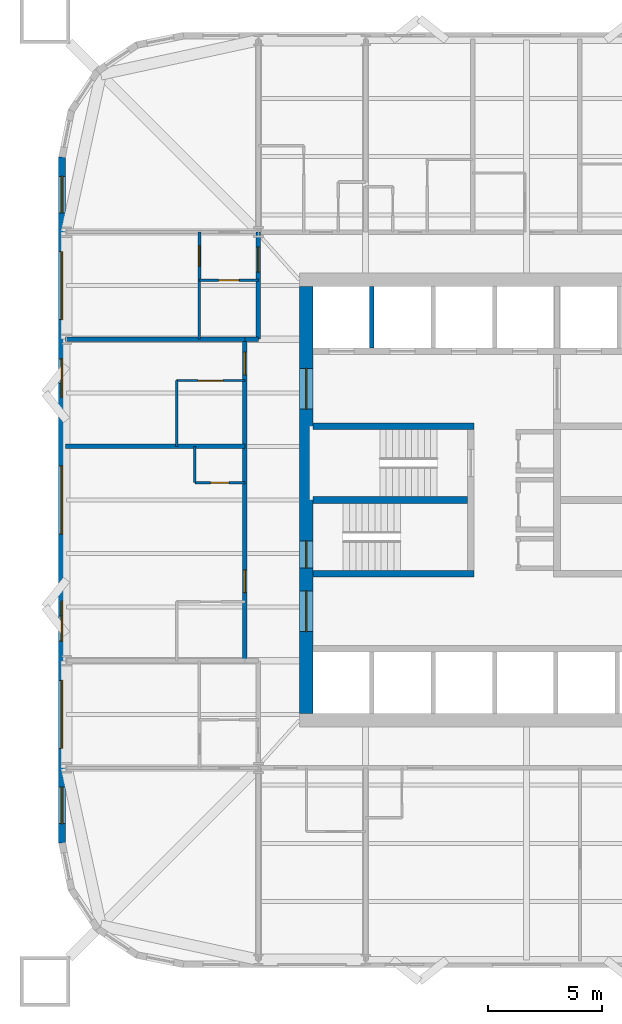
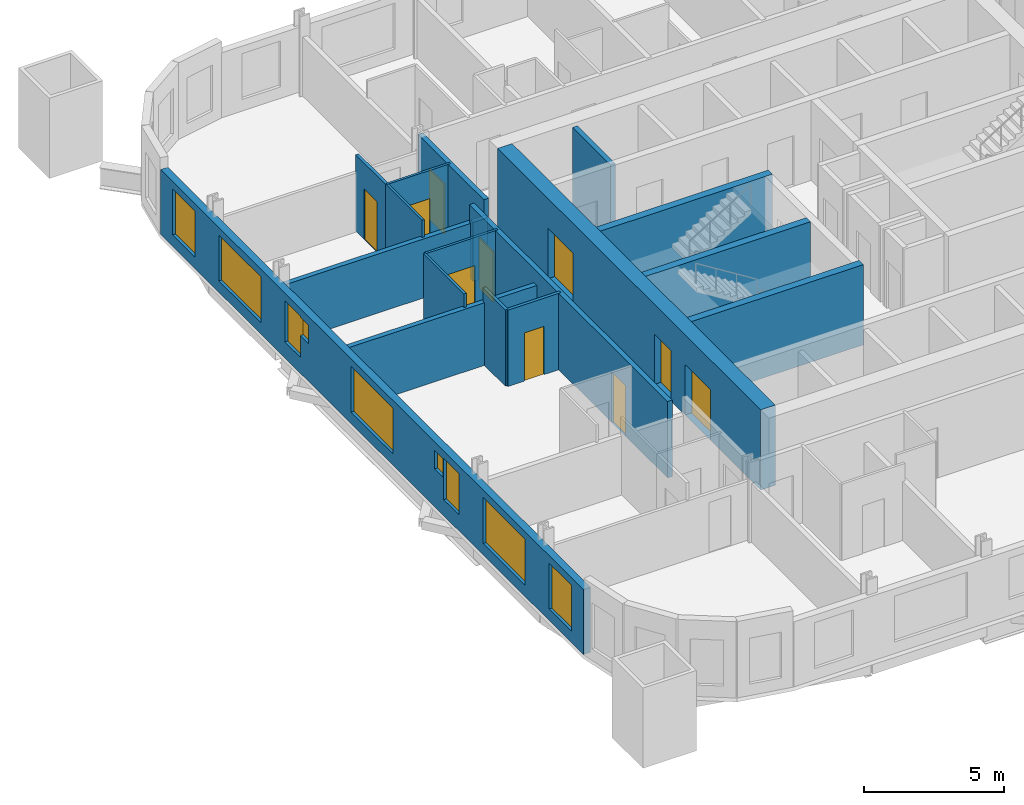
# One storey, part 4 of 9: 18 walls, 10 doors, 9 windows, 19 openings.
"""IFC4 building model written with IfcOpenShell, lengths in metres."""

from ifc_helpers import new_model, si_unit, direction, frame, frame_2d, origin, place, context, subcontext, project, spatial, rectangle, extrude, material, layer, layer_set, type_object, element, fill, save


model = new_model("IFC4")

# Units and contexts
model_context = context("Model", 3, precision=1e-05, world=origin(), true_north=direction((0.0, 1.0)))
body_context = subcontext(model_context, "Body", "Model", "MODEL_VIEW")
ifc_project = project(units=[si_unit("LENGTHUNIT", "METRE"), si_unit("AREAUNIT", "SQUARE_METRE"), si_unit("VOLUMEUNIT", "CUBIC_METRE"), si_unit("PLANEANGLEUNIT", "RADIAN"), si_unit("MASSUNIT", "GRAM", prefix="KILO")], contexts=[model_context])

# Site, building, storey
site_placement = place(None, origin())
site = spatial("IfcSite", under=ifc_project, at=site_placement, CompositionType="ELEMENT")
building_placement = place(site_placement, origin())
building = spatial("IfcBuilding", under=site, at=building_placement, Name="Turquesa Mirador Hotel Tower", CompositionType="ELEMENT")
storey_placement = place(building_placement, frame((0.0, 0.0, 117.89990234375)))
storey = spatial("IfcBuildingStorey", under=building, at=storey_placement, Name="L31", CompositionType="ELEMENT", Elevation=117.89990234375)

# Wall, opening, door
ifc_material_1 = material(Name="Gypsum board on steel studs", Category="steel")
ifc_layer_1 = layer(ifc_material_1, 0.10009765625)
ifc_layer_set_1 = layer_set([ifc_layer_1], Name="BATHROOM WALL 100")
wall_type_1 = type_object("IfcWallType", Name="BATHROOM WALL 100", PredefinedType="PARTITIONING", material=ifc_layer_set_1)
wall_1_placement = place(storey_placement, frame((39.60009765625, 50.260009765625, 0.0), z_axis=(0.0, 0.0, 1.0), x_axis=(1.0, 0.0, 0.0)))
wall_1 = element("IfcWall", 1, at=wall_1_placement, inside=storey, type_object=wall_type_1, Name="Partition L31 034", PredefinedType="PARTITIONING", context=body_context, shape_type="SweptSolid", body=[
    extrude(rectangle(XDim=3.0, YDim=0.10009765625, at=frame_2d((1.5, 0.0))), origin(), (0.0, 0.0, 1.0), 3.330078125),
])
opening_1_placement = place(wall_1_placement, frame((0.949951171875, 0.0, 0.0)))
opening_1 = element("IfcOpeningElement", 2, at=opening_1_placement, cuts=wall_1, Name="Opening D16", PredefinedType="OPENING", context=body_context, shape_type="SweptSolid", body=[
    extrude(rectangle(XDim=1.10009765625, YDim=2.10009765625, at=frame_2d((0.550048828125, 1.050048828125))), frame((0.0, 0.06005859375, 0.0), z_axis=(0.0, -1.0, 0.0), x_axis=(1.0, 0.0, 0.0)), (0.0, 0.0, 1.0), 0.1201171875),
])
ifc_material_2 = material(Name="Timber veneered sliding door", Category="wood")
door_type_1 = type_object("IfcDoorType", Name="DOOR 1100X2100 ACCESSIBLE EN-SUITE", OperationType="SLIDING_TO_LEFT", PredefinedType="DOOR", material=ifc_material_2)
door_1_placement = place(opening_1_placement, origin())
door_1 = element("IfcDoor", 3, at=door_1_placement, inside=storey, type_object=door_type_1, Name="Door 3112B", OperationType="SLIDING_TO_LEFT", OverallHeight=2.10009765625, OverallWidth=1.10009765625, PredefinedType="DOOR", context=body_context, shape_type="SweptSolid", body=[
    extrude(rectangle(XDim=1.10009765625, YDim=2.10009765625, at=frame_2d((0.550048828125, 1.050048828125))), frame((0.0, 0.02490234375, 0.0), z_axis=(0.0, -1.0, 0.0), x_axis=(1.0, 0.0, 0.0)), (0.0, 0.0, 1.0), 0.050048828125),
])
fill(opening_1, door_1)

wall_2_placement = place(storey_placement, frame((40.60009765625, 54.679931640625, 0.0), z_axis=(0.0, 0.0, 1.0), x_axis=(1.0, 0.0, 0.0)))
wall_2 = element("IfcWall", 4, at=wall_2_placement, inside=storey, type_object=wall_type_1, Name="Partition L31 039", PredefinedType="PARTITIONING", context=body_context, shape_type="SweptSolid", body=[
    extrude(rectangle(XDim=2.599853515625, YDim=0.10009765625, at=frame_2d((1.2998046875, 0.0))), origin(), (0.0, 0.0, 1.0), 3.330078125),
])
opening_2_placement = place(wall_2_placement, frame((0.85009765625, 0.0, 0.0)))
opening_2 = element("IfcOpeningElement", 5, at=opening_2_placement, cuts=wall_2, Name="Opening D02", PredefinedType="OPENING", context=body_context, shape_type="SweptSolid", body=[
    extrude(rectangle(XDim=0.89990234375, YDim=2.10009765625, at=frame_2d((0.449951171875, 1.050048828125))), frame((0.0, 0.06005859375, 0.0), z_axis=(0.0, -1.0, 0.0), x_axis=(1.0, 0.0, 0.0)), (0.0, 0.0, 1.0), 0.1201171875),
])
ifc_material_3 = material(Name="Timber veneered door", Category="wood")
door_type_2 = type_object("IfcDoorType", Name="DOOR 900X2100 EN-SUITE", OperationType="SINGLE_SWING_RIGHT", PredefinedType="DOOR", material=ifc_material_3)
door_2_placement = place(opening_2_placement, origin())
door_2 = element("IfcDoor", 6, at=door_2_placement, inside=storey, type_object=door_type_2, Name="Door 3114B", OperationType="SINGLE_SWING_RIGHT", OverallHeight=2.10009765625, OverallWidth=0.89990234375, PredefinedType="DOOR", context=body_context, shape_type="SweptSolid", body=[
    extrude(rectangle(XDim=0.89990234375, YDim=2.10009765625, at=frame_2d((0.449951171875, 1.050048828125))), frame((0.0, 0.02490234375, 0.0), z_axis=(0.0, -1.0, 0.0), x_axis=(1.0, 0.0, 0.0)), (0.0, 0.0, 1.0), 0.050048828125),
])
fill(opening_2, door_2)

# Walls
wall_3_placement = place(storey_placement, frame((40.60009765625, 52.080078125, 0.0), z_axis=(0.0, 0.0, 1.0), x_axis=(0.0, 1.0, 0.0)))
element("IfcWall", 7, at=wall_3_placement, inside=storey, type_object=wall_type_1, Name="Partition L31 048", PredefinedType="PARTITIONING", context=body_context, shape_type="SweptSolid", body=[
    extrude(rectangle(XDim=2.599853515625, YDim=0.10009765625, at=frame_2d((1.2998046875, 0.0))), origin(), (0.0, 0.0, 1.0), 3.330078125),
])
wall_4_placement = place(storey_placement, frame((39.60009765625, 47.360107421875, 0.0), z_axis=(0.0, 0.0, 1.0), x_axis=(0.0, 1.0, 0.0)))
element("IfcWall", 8, at=wall_4_placement, inside=storey, type_object=wall_type_1, Name="Partition L31 053", PredefinedType="PARTITIONING", context=body_context, shape_type="SweptSolid", body=[
    extrude(rectangle(XDim=2.89990234375, YDim=0.10009765625, at=frame_2d((1.449951171875, 0.0))), origin(), (0.0, 0.0, 1.0), 3.330078125),
])
ifc_material_4 = material(Name="Concrete C50/60", Category="concrete")
ifc_layer_2 = layer(ifc_material_4, 0.300048828125)
ifc_layer_set_2 = layer_set([ifc_layer_2], Name="CORE INNER WALL 300")
wall_type_2 = type_object("IfcWallType", Name="CORE INNER WALL 300", PredefinedType="SHEAR", material=ifc_layer_set_2)
for number, where, z_axis, x_axis, name in (
    (9, (45.60009765625, 48.25, 0.0), (0.0, 0.0, 1.0), (1.0, 0.0, 0.0), "Core wall MN-W"),
    (10, (45.60009765625, 41.75, 0.0), (0.0, 0.0, 1.0), (1.0, 0.0, 0.0), "Core wall MS-W"),
):
    element("IfcWall", number, at=place(storey_placement, frame(where, z_axis=z_axis, x_axis=x_axis)), inside=storey, type_object=wall_type_2, Name=name, PredefinedType="SHEAR", context=body_context, shape_type="SweptSolid", body=[
        extrude(rectangle(XDim=7.099853515625, YDim=0.300048828125, at=frame_2d((3.5498046875, 0.0))), origin(), (0.0, 0.0, 1.0), 3.5),
    ])
wall_5_placement = place(storey_placement, frame((45.60009765625, 45.0, 0.0), z_axis=(0.0, 0.0, 1.0), x_axis=(1.0, 0.0, 0.0)))
element("IfcWall", 11, at=wall_5_placement, inside=storey, type_object=wall_type_2, Name="Core wall M0-W", PredefinedType="SHEAR", context=body_context, shape_type="SweptSolid", body=[
    extrude(rectangle(XDim=6.7998046875, YDim=0.300048828125, at=frame_2d((3.39990234375, 0.0))), origin(), (0.0, 0.0, 1.0), 3.5),
])

# Wall, openings, doors
ifc_material_5 = material(Name="Concrete C50/60", Category="concrete")
ifc_layer_3 = layer(ifc_material_5, 0.60009765625)
ifc_layer_set_3 = layer_set([ifc_layer_3], Name="CORE WALL 600")
wall_type_3 = type_object("IfcWallType", Name="CORE WALL 600", PredefinedType="SHEAR", material=ifc_layer_set_3)
wall_6_placement = place(storey_placement, frame((45.300048828125, 35.60009765625, 0.0), z_axis=(0.0, 0.0, 1.0), x_axis=(0.0, 1.0, 0.0)))
wall_6 = element("IfcWall", 12, at=wall_6_placement, inside=storey, type_object=wall_type_3, Name="Core wall W", PredefinedType="SHEAR", context=body_context, shape_type="SweptSolid", body=[
    extrude(rectangle(XDim=18.7998046875, YDim=0.60009765625, at=frame_2d((9.39990234375, 0.0))), origin(), (0.0, 0.0, 1.0), 3.5),
])
opening_3_placement = place(wall_6_placement, frame((13.39990234375, 0.0, 0.0)))
opening_3 = element("IfcOpeningElement", 13, at=opening_3_placement, cuts=wall_6, Name="Opening D04", PredefinedType="OPENING", context=body_context, shape_type="SweptSolid", body=[
    extrude(rectangle(XDim=1.800048828125, YDim=2.199951171875, at=frame_2d((0.89990234375, 1.10009765625))), frame((0.0, 0.31005859375, 0.0), z_axis=(0.0, -1.0, 0.0), x_axis=(1.0, 0.0, 0.0)), (0.0, 0.0, 1.0), 0.6201171875),
])
opening_4_placement = place(wall_6_placement, frame((3.60009765625, 0.0, 0.0)))
opening_4 = element("IfcOpeningElement", 14, at=opening_4_placement, cuts=wall_6, Name="Opening D04", PredefinedType="OPENING", context=body_context, shape_type="SweptSolid", body=[
    extrude(rectangle(XDim=1.800048828125, YDim=2.199951171875, at=frame_2d((0.89990234375, 1.10009765625))), frame((0.0, 0.31005859375, 0.0), z_axis=(0.0, -1.0, 0.0), x_axis=(1.0, 0.0, 0.0)), (0.0, 0.0, 1.0), 0.6201171875),
])
opening_5_placement = place(wall_6_placement, frame((6.39990234375, 0.0, 0.0)))
opening_5 = element("IfcOpeningElement", 15, at=opening_5_placement, cuts=wall_6, Name="Opening D03", PredefinedType="OPENING", context=body_context, shape_type="SweptSolid", body=[
    extrude(rectangle(XDim=1.199951171875, YDim=2.199951171875, at=frame_2d((0.60009765625, 1.10009765625))), frame((0.0, 0.31005859375, 0.0), z_axis=(0.0, -1.0, 0.0), x_axis=(1.0, 0.0, 0.0)), (0.0, 0.0, 1.0), 0.6201171875),
])
ifc_material_6 = material(Name="Steel fire door", Category="steel")
door_type_3 = type_object("IfcDoorType", Name="DOOR 1200X2200 STAIR", OperationType="SINGLE_SWING_LEFT", PredefinedType="DOOR", material=ifc_material_6)
door_3_placement = place(opening_5_placement, origin())
door_3 = element("IfcDoor", 16, at=door_3_placement, inside=storey, type_object=door_type_3, Name="Stair ST2 door", OperationType="SINGLE_SWING_LEFT", OverallHeight=2.199951171875, OverallWidth=1.199951171875, PredefinedType="DOOR", context=body_context, shape_type="SweptSolid", body=[
    extrude(rectangle(XDim=1.199951171875, YDim=2.199951171875, at=frame_2d((0.60009765625, 1.10009765625))), frame((0.0, 0.02490234375, 0.0), z_axis=(0.0, -1.0, 0.0), x_axis=(1.0, 0.0, 0.0)), (0.0, 0.0, 1.0), 0.050048828125),
])
fill(opening_5, door_3)
ifc_material_7 = material(Name="Steel fire door pair", Category="steel")
door_type_4 = type_object("IfcDoorType", Name="DOOR 1800X2200 PAIR", OperationType="DOUBLE_DOOR_SINGLE_SWING", PredefinedType="DOOR", material=ifc_material_7)
door_4_placement = place(opening_3_placement, origin())
door_4 = element("IfcDoor", 17, at=door_4_placement, inside=storey, type_object=door_type_4, Name="North lift lobby door", OperationType="DOUBLE_DOOR_SINGLE_SWING", OverallHeight=2.199951171875, OverallWidth=1.800048828125, PredefinedType="DOOR", context=body_context, shape_type="SweptSolid", body=[
    extrude(rectangle(XDim=1.800048828125, YDim=2.199951171875, at=frame_2d((0.89990234375, 1.10009765625))), frame((0.0, 0.02490234375, 0.0), z_axis=(0.0, -1.0, 0.0), x_axis=(1.0, 0.0, 0.0)), (0.0, 0.0, 1.0), 0.050048828125),
])
fill(opening_3, door_4)
door_5_placement = place(opening_4_placement, origin())
door_5 = element("IfcDoor", 18, at=door_5_placement, inside=storey, type_object=door_type_4, Name="South lift lobby door", OperationType="DOUBLE_DOOR_SINGLE_SWING", OverallHeight=2.199951171875, OverallWidth=1.800048828125, PredefinedType="DOOR", context=body_context, shape_type="SweptSolid", body=[
    extrude(rectangle(XDim=1.800048828125, YDim=2.199951171875, at=frame_2d((0.89990234375, 1.10009765625))), frame((0.0, 0.02490234375, 0.0), z_axis=(0.0, -1.0, 0.0), x_axis=(1.0, 0.0, 0.0)), (0.0, 0.0, 1.0), 0.050048828125),
])
fill(opening_4, door_5)

# Wall
ifc_material_8 = material(Name="Fire-rated gypsum board on steel studs", Category="steel")
ifc_layer_4 = layer(ifc_material_8, 0.199951171875)
ifc_layer_set_4 = layer_set([ifc_layer_4], Name="CORRIDOR WALL 200")
wall_type_4 = type_object("IfcWallType", Name="CORRIDOR WALL 200", PredefinedType="PARTITIONING", material=ifc_layer_set_4)
wall_7_placement = place(storey_placement, frame((42.60009765625, 52.080078125, 0.0), z_axis=(0.0, 0.0, 1.0), x_axis=(1.0, 0.0, 0.0)))
element("IfcWall", 19, at=wall_7_placement, inside=storey, type_object=wall_type_4, Name="Partition L31 035", PredefinedType="PARTITIONING", context=body_context, shape_type="SweptSolid", body=[
    extrude(rectangle(XDim=0.599853515625, YDim=0.199951171875, at=frame_2d((0.2998046875, 0.0))), origin(), (0.0, 0.0, 1.0), 2.5732421875),
])

# Wall, opening, door
wall_8_placement = place(storey_placement, frame((43.199951171875, 52.080078125, 0.0), z_axis=(0.0, 0.0, 1.0), x_axis=(0.0, 1.0, 0.0)))
wall_8 = element("IfcWall", 20, at=wall_8_placement, inside=storey, type_object=wall_type_4, Name="Partition L31 043", PredefinedType="PARTITIONING", context=body_context, shape_type="SweptSolid", body=[
    extrude(rectangle(XDim=4.719970703125, YDim=0.199951171875, at=frame_2d((2.35986328125, 0.0))), origin(), (0.0, 0.0, 1.0), 3.330078125),
])
opening_6_placement = place(wall_8_placement, frame((2.9599609375, 0.0, 0.0)))
opening_6 = element("IfcOpeningElement", 21, at=opening_6_placement, cuts=wall_8, Name="Opening D15", PredefinedType="OPENING", context=body_context, shape_type="SweptSolid", body=[
    extrude(rectangle(XDim=1.10009765625, YDim=2.199951171875, at=frame_2d((0.550048828125, 1.10009765625))), frame((0.0, 0.10986328125, 0.0), z_axis=(0.0, -1.0, 0.0), x_axis=(1.0, 0.0, 0.0)), (0.0, 0.0, 1.0), 0.219970703125),
])
ifc_material_9 = material(Name="Timber veneered fire door", Category="wood")
door_type_5 = type_object("IfcDoorType", Name="DOOR 1100X2200 SUITE ENTRY", OperationType="SINGLE_SWING_LEFT", PredefinedType="DOOR", material=ifc_material_9)
door_6_placement = place(opening_6_placement, origin())
door_6 = element("IfcDoor", 22, at=door_6_placement, inside=storey, type_object=door_type_5, Name="Door 3114H", OperationType="SINGLE_SWING_LEFT", OverallHeight=2.199951171875, OverallWidth=1.10009765625, PredefinedType="DOOR", context=body_context, shape_type="SweptSolid", body=[
    extrude(rectangle(XDim=1.10009765625, YDim=2.199951171875, at=frame_2d((0.550048828125, 1.10009765625))), frame((0.0, 0.02490234375, 0.0), z_axis=(0.0, -1.0, 0.0), x_axis=(1.0, 0.0, 0.0)), (0.0, 0.0, 1.0), 0.050048828125),
])
fill(opening_6, door_6)

# Wall, openings, doors
wall_9_placement = place(storey_placement, frame((42.60009765625, 37.919921875, 0.0), z_axis=(0.0, 0.0, 1.0), x_axis=(0.0, 1.0, 0.0)))
wall_9 = element("IfcWall", 23, at=wall_9_placement, inside=storey, type_object=wall_type_4, Name="Partition L31 046", PredefinedType="PARTITIONING", context=body_context, shape_type="SweptSolid", body=[
    extrude(rectangle(XDim=14.16015625, YDim=0.199951171875, at=frame_2d((7.080078125, 0.0))), origin(), (0.0, 0.0, 1.0), 3.330078125),
])
opening_7_placement = place(wall_9_placement, frame((3.0, 0.0, 0.0)))
opening_7 = element("IfcOpeningElement", 24, at=opening_7_placement, cuts=wall_9, Name="Opening D01", PredefinedType="OPENING", context=body_context, shape_type="SweptSolid", body=[
    extrude(rectangle(XDim=1.0, YDim=2.199951171875, at=frame_2d((0.5, 1.10009765625))), frame((0.0, 0.10986328125, 0.0), z_axis=(0.0, -1.0, 0.0), x_axis=(1.0, 0.0, 0.0)), (0.0, 0.0, 1.0), 0.219970703125),
])
opening_8_placement = place(wall_9_placement, frame((12.590087890625, 0.0, 0.0)))
opening_8 = element("IfcOpeningElement", 25, at=opening_8_placement, cuts=wall_9, Name="Opening D01", PredefinedType="OPENING", context=body_context, shape_type="SweptSolid", body=[
    extrude(rectangle(XDim=1.0, YDim=2.199951171875, at=frame_2d((0.5, 1.10009765625))), frame((0.0, 0.10986328125, 0.0), z_axis=(0.0, -1.0, 0.0), x_axis=(1.0, 0.0, 0.0)), (0.0, 0.0, 1.0), 0.219970703125),
])
ifc_material_10 = material(Name="Timber veneered fire door", Category="wood")
door_type_6 = type_object("IfcDoorType", Name="DOOR 1000X2200 GUEST ENTRY", OperationType="SINGLE_SWING_LEFT", PredefinedType="DOOR", material=ifc_material_10)
door_7_placement = place(opening_7_placement, origin())
door_7 = element("IfcDoor", 26, at=door_7_placement, inside=storey, type_object=door_type_6, Name="Door 3111", OperationType="SINGLE_SWING_LEFT", OverallHeight=2.199951171875, OverallWidth=1.0, PredefinedType="DOOR", context=body_context, shape_type="SweptSolid", body=[
    extrude(rectangle(XDim=1.0, YDim=2.199951171875, at=frame_2d((0.5, 1.10009765625))), frame((0.0, 0.02490234375, 0.0), z_axis=(0.0, -1.0, 0.0), x_axis=(1.0, 0.0, 0.0)), (0.0, 0.0, 1.0), 0.050048828125),
])
fill(opening_7, door_7)
door_8_placement = place(opening_8_placement, origin())
door_8 = element("IfcDoor", 27, at=door_8_placement, inside=storey, type_object=door_type_6, Name="Door 3112", OperationType="SINGLE_SWING_LEFT", OverallHeight=2.199951171875, OverallWidth=1.0, PredefinedType="DOOR", context=body_context, shape_type="SweptSolid", body=[
    extrude(rectangle(XDim=1.0, YDim=2.199951171875, at=frame_2d((0.5, 1.10009765625))), frame((0.0, 0.02490234375, 0.0), z_axis=(0.0, -1.0, 0.0), x_axis=(1.0, 0.0, 0.0)), (0.0, 0.0, 1.0), 0.050048828125),
])
fill(opening_8, door_8)

# Wall, openings, windows
ifc_material_11 = material(Name="Limestone cladding on concrete block", Category="masonry")
ifc_layer_5 = layer(ifc_material_11, 0.300048828125)
ifc_layer_set_5 = layer_set([ifc_layer_5], Name="FACADE WALL 300 STONE SCREEN")
wall_type_5 = type_object("IfcWallType", Name="FACADE WALL 300 STONE SCREEN", PredefinedType="SOLIDWALL", material=ifc_layer_set_5)
wall_10_placement = place(storey_placement, frame((34.550048828125, 60.10009765625, 0.0), z_axis=(0.0, 0.0, 1.0), x_axis=(0.0, -1.0, 0.0)))
wall_10 = element("IfcWall", 28, at=wall_10_placement, inside=storey, type_object=wall_type_5, Name="Facade wall L31 14", PredefinedType="SOLIDWALL", context=body_context, shape_type="SweptSolid", body=[
    extrude(rectangle(XDim=30.2001953125, YDim=0.300048828125, at=frame_2d((15.10009765625, 0.0))), origin(), (0.0, 0.0, 1.0), 2.830078125),
])
opening_9_placement = place(wall_10_placement, frame((0.85009765625, 0.0, 0.5)))
opening_9 = element("IfcOpeningElement", 29, at=opening_9_placement, cuts=wall_10, Name="Opening WN3", PredefinedType="OPENING", context=body_context, shape_type="SweptSolid", body=[
    extrude(rectangle(XDim=1.60009765625, YDim=2.0, at=frame_2d((0.800048828125, 1.0))), frame((0.0, 0.159912109375, 0.0), z_axis=(0.0, -1.0, 0.0), x_axis=(1.0, 0.0, 0.0)), (0.0, 0.0, 1.0), 0.320068359375),
])
opening_10_placement = place(wall_10_placement, frame((4.159912109375, 0.0, 0.5)))
opening_10 = element("IfcOpeningElement", 30, at=opening_10_placement, cuts=wall_10, Name="Opening WN1", PredefinedType="OPENING", context=body_context, shape_type="SweptSolid", body=[
    extrude(rectangle(XDim=3.0, YDim=2.0, at=frame_2d((1.5, 1.0))), frame((0.0, 0.159912109375, 0.0), z_axis=(0.0, -1.0, 0.0), x_axis=(1.0, 0.0, 0.0)), (0.0, 0.0, 1.0), 0.320068359375),
])
opening_11_placement = place(wall_10_placement, frame((8.8798828125, 0.0, 0.699951171875)))
opening_11 = element("IfcOpeningElement", 31, at=opening_11_placement, cuts=wall_10, Name="Opening WN38", PredefinedType="OPENING", context=body_context, shape_type="SweptSolid", body=[
    extrude(rectangle(XDim=1.10009765625, YDim=1.800048828125, at=frame_2d((0.550048828125, 0.89990234375))), frame((0.0, 0.159912109375, 0.0), z_axis=(0.0, -1.0, 0.0), x_axis=(1.0, 0.0, 0.0)), (0.0, 0.0, 1.0), 0.320068359375),
])
opening_12_placement = place(wall_10_placement, frame((13.60009765625, 0.0, 0.5)))
opening_12 = element("IfcOpeningElement", 32, at=opening_12_placement, cuts=wall_10, Name="Opening WN1", PredefinedType="OPENING", context=body_context, shape_type="SweptSolid", body=[
    extrude(rectangle(XDim=3.0, YDim=2.0, at=frame_2d((1.5, 1.0))), frame((0.0, 0.159912109375, 0.0), z_axis=(0.0, -1.0, 0.0), x_axis=(1.0, 0.0, 0.0)), (0.0, 0.0, 1.0), 0.320068359375),
])
opening_13_placement = place(wall_10_placement, frame((20.219970703125, 0.0, 0.699951171875)))
opening_13 = element("IfcOpeningElement", 33, at=opening_13_placement, cuts=wall_10, Name="Opening WN38", PredefinedType="OPENING", context=body_context, shape_type="SweptSolid", body=[
    extrude(rectangle(XDim=1.10009765625, YDim=1.800048828125, at=frame_2d((0.550048828125, 0.89990234375))), frame((0.0, 0.159912109375, 0.0), z_axis=(0.0, -1.0, 0.0), x_axis=(1.0, 0.0, 0.0)), (0.0, 0.0, 1.0), 0.320068359375),
])
opening_14_placement = place(wall_10_placement, frame((23.0400390625, 0.0, 0.5)))
opening_14 = element("IfcOpeningElement", 34, at=opening_14_placement, cuts=wall_10, Name="Opening WN1", PredefinedType="OPENING", context=body_context, shape_type="SweptSolid", body=[
    extrude(rectangle(XDim=3.0, YDim=2.0, at=frame_2d((1.5, 1.0))), frame((0.0, 0.159912109375, 0.0), z_axis=(0.0, -1.0, 0.0), x_axis=(1.0, 0.0, 0.0)), (0.0, 0.0, 1.0), 0.320068359375),
])
opening_15_placement = place(wall_10_placement, frame((27.75, 0.0, 0.5)))
opening_15 = element("IfcOpeningElement", 35, at=opening_15_placement, cuts=wall_10, Name="Opening WN3", PredefinedType="OPENING", context=body_context, shape_type="SweptSolid", body=[
    extrude(rectangle(XDim=1.60009765625, YDim=2.0, at=frame_2d((0.800048828125, 1.0))), frame((0.0, 0.159912109375, 0.0), z_axis=(0.0, -1.0, 0.0), x_axis=(1.0, 0.0, 0.0)), (0.0, 0.0, 1.0), 0.320068359375),
])
opening_16_placement = place(wall_10_placement, frame((9.97998046875, 0.0, 1.64990234375)))
opening_16 = element("IfcOpeningElement", 36, at=opening_16_placement, cuts=wall_10, Name="Opening WN28", PredefinedType="OPENING", context=body_context, shape_type="SweptSolid", body=[
    extrude(rectangle(XDim=0.60009765625, YDim=0.800048828125, at=frame_2d((0.300048828125, 0.39990234375))), frame((0.0, 0.159912109375, 0.0), z_axis=(0.0, -1.0, 0.0), x_axis=(1.0, 0.0, 0.0)), (0.0, 0.0, 1.0), 0.320068359375),
])
opening_17_placement = place(wall_10_placement, frame((19.570068359375, 0.0, 1.64990234375)))
opening_17 = element("IfcOpeningElement", 37, at=opening_17_placement, cuts=wall_10, Name="Opening WN28", PredefinedType="OPENING", context=body_context, shape_type="SweptSolid", body=[
    extrude(rectangle(XDim=0.60009765625, YDim=0.800048828125, at=frame_2d((0.300048828125, 0.39990234375))), frame((0.0, 0.159912109375, 0.0), z_axis=(0.0, -1.0, 0.0), x_axis=(1.0, 0.0, 0.0)), (0.0, 0.0, 1.0), 0.320068359375),
])
ifc_material_12 = material(Name="Ceramic-fritted laminated glass", Category="glass")
window_type_1 = type_object("IfcWindowType", Name="FRITTED WINDOW 1100X1800", PartitioningType="DOUBLE_PANEL_HORIZONTAL", PredefinedType="WINDOW", material=ifc_material_12)
window_1_placement = place(opening_11_placement, origin())
window_1 = element("IfcWindow", 38, at=window_1_placement, inside=storey, type_object=window_type_1, Name="Window L31", OverallHeight=1.800048828125, OverallWidth=1.10009765625, PartitioningType="SINGLE_PANEL", PredefinedType="WINDOW", context=body_context, shape_type="SweptSolid", body=[
    extrude(rectangle(XDim=1.10009765625, YDim=1.800048828125, at=frame_2d((0.550048828125, 0.89990234375))), frame((0.0, 0.030029296875, 0.0), z_axis=(0.0, -1.0, 0.0), x_axis=(1.0, 0.0, 0.0)), (0.0, 0.0, 1.0), 0.06005859375),
])
fill(opening_11, window_1)
window_2_placement = place(opening_13_placement, origin())
window_2 = element("IfcWindow", 39, at=window_2_placement, inside=storey, type_object=window_type_1, Name="Window L31", OverallHeight=1.800048828125, OverallWidth=1.10009765625, PartitioningType="SINGLE_PANEL", PredefinedType="WINDOW", context=body_context, shape_type="SweptSolid", body=[
    extrude(rectangle(XDim=1.10009765625, YDim=1.800048828125, at=frame_2d((0.550048828125, 0.89990234375))), frame((0.0, 0.030029296875, 0.0), z_axis=(0.0, -1.0, 0.0), x_axis=(1.0, 0.0, 0.0)), (0.0, 0.0, 1.0), 0.06005859375),
])
fill(opening_13, window_2)
ifc_material_13 = material(Name="Ceramic-fritted laminated glass", Category="glass")
window_type_2 = type_object("IfcWindowType", Name="FRITTED WINDOW 1600X2000", PartitioningType="DOUBLE_PANEL_HORIZONTAL", PredefinedType="WINDOW", material=ifc_material_13)
window_3_placement = place(opening_9_placement, origin())
window_3 = element("IfcWindow", 40, at=window_3_placement, inside=storey, type_object=window_type_2, Name="Window L31", OverallHeight=2.0, OverallWidth=1.60009765625, PartitioningType="SINGLE_PANEL", PredefinedType="WINDOW", context=body_context, shape_type="SweptSolid", body=[
    extrude(rectangle(XDim=1.60009765625, YDim=2.0, at=frame_2d((0.800048828125, 1.0))), frame((0.0, 0.030029296875, 0.0), z_axis=(0.0, -1.0, 0.0), x_axis=(1.0, 0.0, 0.0)), (0.0, 0.0, 1.0), 0.06005859375),
])
fill(opening_9, window_3)
window_4_placement = place(opening_15_placement, origin())
window_4 = element("IfcWindow", 41, at=window_4_placement, inside=storey, type_object=window_type_2, Name="Window L31", OverallHeight=2.0, OverallWidth=1.60009765625, PartitioningType="SINGLE_PANEL", PredefinedType="WINDOW", context=body_context, shape_type="SweptSolid", body=[
    extrude(rectangle(XDim=1.60009765625, YDim=2.0, at=frame_2d((0.800048828125, 1.0))), frame((0.0, 0.030029296875, 0.0), z_axis=(0.0, -1.0, 0.0), x_axis=(1.0, 0.0, 0.0)), (0.0, 0.0, 1.0), 0.06005859375),
])
fill(opening_15, window_4)
ifc_material_14 = material(Name="Ceramic-fritted laminated glass", Category="glass")
window_type_3 = type_object("IfcWindowType", Name="FRITTED WINDOW 3000X2000", PartitioningType="DOUBLE_PANEL_HORIZONTAL", PredefinedType="WINDOW", material=ifc_material_14)
window_5_placement = place(opening_10_placement, origin())
window_5 = element("IfcWindow", 42, at=window_5_placement, inside=storey, type_object=window_type_3, Name="Window L31", OverallHeight=2.0, OverallWidth=3.0, PartitioningType="SINGLE_PANEL", PredefinedType="WINDOW", context=body_context, shape_type="SweptSolid", body=[
    extrude(rectangle(XDim=3.0, YDim=2.0, at=frame_2d((1.5, 1.0))), frame((0.0, 0.030029296875, 0.0), z_axis=(0.0, -1.0, 0.0), x_axis=(1.0, 0.0, 0.0)), (0.0, 0.0, 1.0), 0.06005859375),
])
fill(opening_10, window_5)
window_6_placement = place(opening_12_placement, origin())
window_6 = element("IfcWindow", 43, at=window_6_placement, inside=storey, type_object=window_type_3, Name="Window L31", OverallHeight=2.0, OverallWidth=3.0, PartitioningType="SINGLE_PANEL", PredefinedType="WINDOW", context=body_context, shape_type="SweptSolid", body=[
    extrude(rectangle(XDim=3.0, YDim=2.0, at=frame_2d((1.5, 1.0))), frame((0.0, 0.030029296875, 0.0), z_axis=(0.0, -1.0, 0.0), x_axis=(1.0, 0.0, 0.0)), (0.0, 0.0, 1.0), 0.06005859375),
])
fill(opening_12, window_6)
window_7_placement = place(opening_14_placement, origin())
window_7 = element("IfcWindow", 44, at=window_7_placement, inside=storey, type_object=window_type_3, Name="Window L31", OverallHeight=2.0, OverallWidth=3.0, PartitioningType="SINGLE_PANEL", PredefinedType="WINDOW", context=body_context, shape_type="SweptSolid", body=[
    extrude(rectangle(XDim=3.0, YDim=2.0, at=frame_2d((1.5, 1.0))), frame((0.0, 0.030029296875, 0.0), z_axis=(0.0, -1.0, 0.0), x_axis=(1.0, 0.0, 0.0)), (0.0, 0.0, 1.0), 0.06005859375),
])
fill(opening_14, window_7)
ifc_material_15 = material(Name="Ceramic-fritted laminated glass", Category="glass")
window_type_4 = type_object("IfcWindowType", Name="FRITTED WINDOW 600X800", PartitioningType="DOUBLE_PANEL_HORIZONTAL", PredefinedType="WINDOW", material=ifc_material_15)
window_8_placement = place(opening_16_placement, origin())
window_8 = element("IfcWindow", 45, at=window_8_placement, inside=storey, type_object=window_type_4, Name="Window L31", OverallHeight=0.800048828125, OverallWidth=0.60009765625, PartitioningType="SINGLE_PANEL", PredefinedType="WINDOW", context=body_context, shape_type="SweptSolid", body=[
    extrude(rectangle(XDim=0.60009765625, YDim=0.800048828125, at=frame_2d((0.300048828125, 0.39990234375))), frame((0.0, 0.030029296875, 0.0), z_axis=(0.0, -1.0, 0.0), x_axis=(1.0, 0.0, 0.0)), (0.0, 0.0, 1.0), 0.06005859375),
])
fill(opening_16, window_8)
window_9_placement = place(opening_17_placement, origin())
window_9 = element("IfcWindow", 46, at=window_9_placement, inside=storey, type_object=window_type_4, Name="Window L31", OverallHeight=0.800048828125, OverallWidth=0.60009765625, PartitioningType="SINGLE_PANEL", PredefinedType="WINDOW", context=body_context, shape_type="SweptSolid", body=[
    extrude(rectangle(XDim=0.60009765625, YDim=0.800048828125, at=frame_2d((0.300048828125, 0.39990234375))), frame((0.0, 0.030029296875, 0.0), z_axis=(0.0, -1.0, 0.0), x_axis=(1.0, 0.0, 0.0)), (0.0, 0.0, 1.0), 0.06005859375),
])
fill(opening_17, window_9)

# Walls
ifc_material_16 = material(Name="Fire-rated gypsum shaft wall on steel studs", Category="steel")
ifc_layer_6 = layer(ifc_material_16, 0.199951171875)
ifc_layer_set_6 = layer_set([ifc_layer_6], Name="LIFT SHAFT DIVIDER 200")
wall_type_6 = type_object("IfcWallType", Name="LIFT SHAFT DIVIDER 200", PredefinedType="PARTITIONING", material=ifc_layer_set_6)
wall_11_placement = place(storey_placement, frame((48.199951171875, 51.699951171875, 0.0), z_axis=(0.0, 0.0, 1.0), x_axis=(0.0, 1.0, 0.0)))
element("IfcWall", 47, at=wall_11_placement, inside=storey, type_object=wall_type_6, Name="Lift shaft divider", PredefinedType="PARTITIONING", context=body_context, shape_type="SweptSolid", body=[
    extrude(rectangle(XDim=2.699951171875, YDim=0.199951171875, at=frame_2d((1.35009765625, 0.0))), origin(), (0.0, 0.0, 1.0), 3.330078125),
])
ifc_material_17 = material(Name="Fire-rated gypsum board on steel studs", Category="steel")
ifc_layer_7 = layer(ifc_material_17, 0.199951171875)
ifc_layer_set_7 = layer_set([ifc_layer_7], Name="PARTY WALL 200")
wall_type_7 = type_object("IfcWallType", Name="PARTY WALL 200", PredefinedType="PARTITIONING", material=ifc_layer_set_7)
wall_12_placement = place(storey_placement, frame((34.699951171875, 47.360107421875, 0.0), z_axis=(0.0, 0.0, 1.0), x_axis=(1.0, 0.0, 0.0)))
element("IfcWall", 48, at=wall_12_placement, inside=storey, type_object=wall_type_7, Name="Partition L31 031", PredefinedType="PARTITIONING", context=body_context, shape_type="SweptSolid", body=[
    extrude(rectangle(XDim=7.900146484375, YDim=0.199951171875, at=frame_2d((3.9501953125, 0.0))), origin(), (0.0, 0.0, 1.0), 2.730712890625),
])
wall_13_placement = place(storey_placement, frame((34.699951171875, 52.080078125, 0.0), z_axis=(0.0, 0.0, 1.0), x_axis=(1.0, 0.0, 0.0)))
element("IfcWall", 49, at=wall_13_placement, inside=storey, type_object=wall_type_7, Name="Partition L31 037", PredefinedType="PARTITIONING", context=body_context, shape_type="SweptSolid", body=[
    extrude(rectangle(XDim=7.900146484375, YDim=0.199951171875, at=frame_2d((3.9501953125, 0.0))), origin(), (0.0, 0.0, 1.0), 2.5732421875),
])

# Wall, opening, door
ifc_material_18 = material(Name="Acoustic gypsum board on steel studs", Category="steel")
ifc_layer_8 = layer(ifc_material_18, 0.125)
ifc_layer_set_8 = layer_set([ifc_layer_8], Name="SUITE PARTITION 125")
wall_type_8 = type_object("IfcWallType", Name="SUITE PARTITION 125", PredefinedType="PARTITIONING", material=ifc_layer_set_8)
wall_14_placement = place(storey_placement, frame((40.39990234375, 45.760009765625, 0.0), z_axis=(0.0, 0.0, 1.0), x_axis=(1.0, 0.0, 0.0)))
wall_14 = element("IfcWall", 50, at=wall_14_placement, inside=storey, type_object=wall_type_8, Name="Partition L31 020", PredefinedType="PARTITIONING", context=body_context, shape_type="SweptSolid", body=[
    extrude(rectangle(XDim=2.2001953125, YDim=0.125, at=frame_2d((1.10009765625, 0.0))), origin(), (0.0, 0.0, 1.0), 3.330078125),
])
opening_18_placement = place(wall_14_placement, frame((0.699951171875, 0.0, 0.0)))
opening_18 = element("IfcOpeningElement", 51, at=opening_18_placement, cuts=wall_14, Name="Opening D20", PredefinedType="OPENING", context=body_context, shape_type="SweptSolid", body=[
    extrude(rectangle(XDim=0.800048828125, YDim=2.10009765625, at=frame_2d((0.39990234375, 1.050048828125))), frame((0.0, 0.072509765625, 0.0), z_axis=(0.0, -1.0, 0.0), x_axis=(1.0, 0.0, 0.0)), (0.0, 0.0, 1.0), 0.14501953125),
])
ifc_material_19 = material(Name="Timber veneered sliding door", Category="wood")
door_type_7 = type_object("IfcDoorType", Name="DOOR 800X2100 WARDROBE", OperationType="SLIDING_TO_LEFT", PredefinedType="DOOR", material=ifc_material_19)
door_9_placement = place(opening_18_placement, origin())
door_9 = element("IfcDoor", 52, at=door_9_placement, inside=storey, type_object=door_type_7, Name="Door 3111W", OperationType="SLIDING_TO_LEFT", OverallHeight=2.10009765625, OverallWidth=0.800048828125, PredefinedType="DOOR", context=body_context, shape_type="SweptSolid", body=[
    extrude(rectangle(XDim=0.800048828125, YDim=2.10009765625, at=frame_2d((0.39990234375, 1.050048828125))), frame((0.0, 0.02490234375, 0.0), z_axis=(0.0, -1.0, 0.0), x_axis=(1.0, 0.0, 0.0)), (0.0, 0.0, 1.0), 0.050048828125),
])
fill(opening_18, door_9)

wall_15_placement = place(storey_placement, frame((40.60009765625, 54.679931640625, 0.0), z_axis=(0.0, 0.0, 1.0), x_axis=(0.0, 1.0, 0.0)))
wall_15 = element("IfcWall", 53, at=wall_15_placement, inside=storey, type_object=wall_type_8, Name="Partition L31 050", PredefinedType="PARTITIONING", context=body_context, shape_type="SweptSolid", body=[
    extrude(rectangle(XDim=2.1201171875, YDim=0.125, at=frame_2d((1.06005859375, 0.0))), origin(), (0.0, 0.0, 1.0), 3.330078125),
])
opening_19_placement = place(wall_15_placement, frame((0.610107421875, 0.0, 0.0)))
opening_19 = element("IfcOpeningElement", 54, at=opening_19_placement, cuts=wall_15, Name="Opening D17", PredefinedType="OPENING", context=body_context, shape_type="SweptSolid", body=[
    extrude(rectangle(XDim=0.89990234375, YDim=2.199951171875, at=frame_2d((0.449951171875, 1.10009765625))), frame((0.0, 0.072509765625, 0.0), z_axis=(0.0, -1.0, 0.0), x_axis=(1.0, 0.0, 0.0)), (0.0, 0.0, 1.0), 0.14501953125),
])
ifc_material_20 = material(Name="Timber veneered door", Category="wood")
door_type_8 = type_object("IfcDoorType", Name="DOOR 900X2200 SUITE INTERNAL", OperationType="SINGLE_SWING_LEFT", PredefinedType="DOOR", material=ifc_material_20)
door_10_placement = place(opening_19_placement, origin())
door_10 = element("IfcDoor", 55, at=door_10_placement, inside=storey, type_object=door_type_8, Name="Door 3114R", OperationType="SINGLE_SWING_LEFT", OverallHeight=2.199951171875, OverallWidth=0.89990234375, PredefinedType="DOOR", context=body_context, shape_type="SweptSolid", body=[
    extrude(rectangle(XDim=0.89990234375, YDim=2.199951171875, at=frame_2d((0.449951171875, 1.10009765625))), frame((0.0, 0.02490234375, 0.0), z_axis=(0.0, -1.0, 0.0), x_axis=(1.0, 0.0, 0.0)), (0.0, 0.0, 1.0), 0.050048828125),
])
fill(opening_19, door_10)

# Wall
wall_16_placement = place(storey_placement, frame((40.39990234375, 45.760009765625, 0.0), z_axis=(0.0, 0.0, 1.0), x_axis=(0.0, 1.0, 0.0)))
element("IfcWall", 56, at=wall_16_placement, inside=storey, type_object=wall_type_8, Name="Partition L31 051", PredefinedType="PARTITIONING", context=body_context, shape_type="SweptSolid", body=[
    extrude(rectangle(XDim=1.60009765625, YDim=0.125, at=frame_2d((0.800048828125, 0.0))), origin(), (0.0, 0.0, 1.0), 3.330078125),
])

save(model, "model.ifc")
